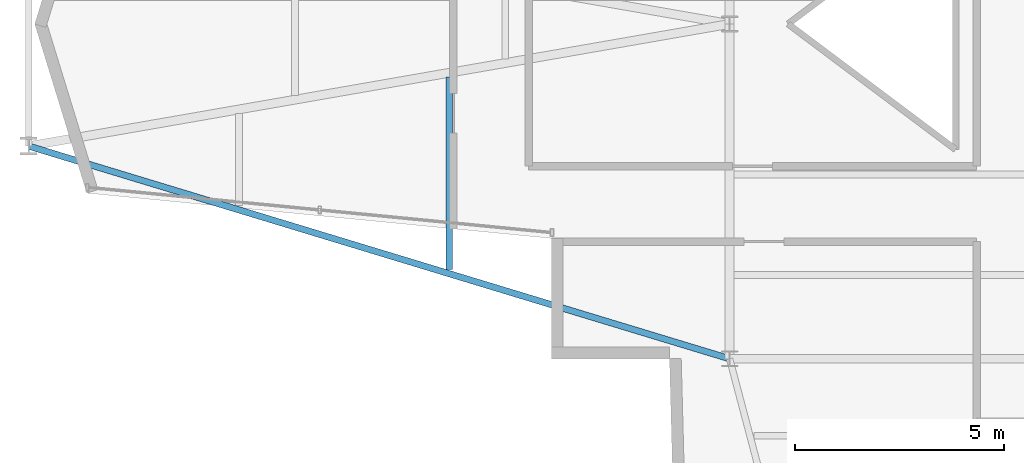
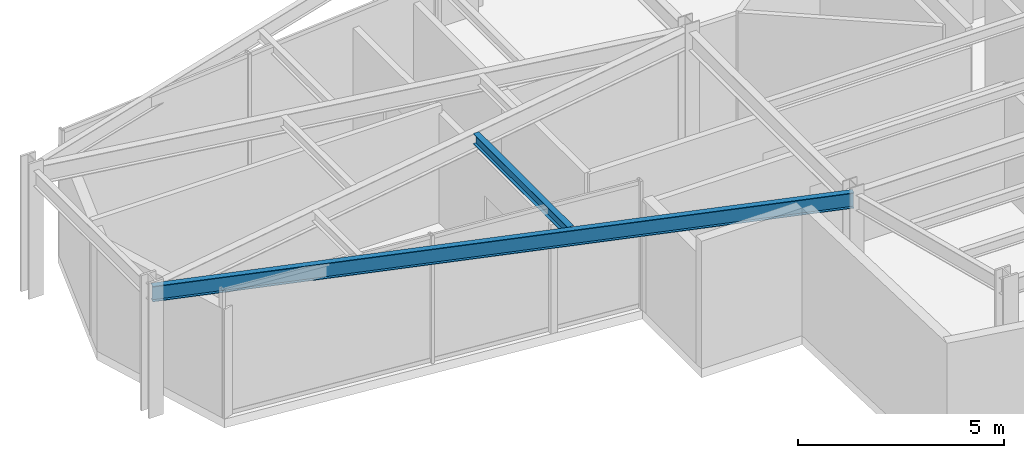
# One storey, part 3 of 21: 2 beams.
"""IFC4 building model written with IfcOpenShell, lengths in metres."""

from ifc_helpers import new_model, si_unit, direction, frame, origin, origin_2d, place, context, subcontext, project, spatial, i_section, extrude, material, material_profile, profile_set, type_object, element, save


model = new_model("IFC4")

# Units and contexts
model_context = context("Model", 3, precision=1e-05, world=origin(), true_north=direction((0.0, 1.0)))
body_context = subcontext(model_context, "Body", "Model", "MODEL_VIEW")
ifc_project = project(units=[si_unit("LENGTHUNIT", "METRE"), si_unit("AREAUNIT", "SQUARE_METRE"), si_unit("VOLUMEUNIT", "CUBIC_METRE"), si_unit("PLANEANGLEUNIT", "RADIAN"), si_unit("MASSUNIT", "GRAM", prefix="KILO")], contexts=[model_context])

# Site, building, storey
site_placement = place(None, origin())
site = spatial("IfcSite", under=ifc_project, at=site_placement, CompositionType="ELEMENT")
building_placement = place(site_placement, origin())
building = spatial("IfcBuilding", under=site, at=building_placement, Name="Veymaron Broadcast Tower", CompositionType="ELEMENT")
storey_placement = place(building_placement, frame((0.0, 0.0, 244.5)))
storey = spatial("IfcBuildingStorey", under=building, at=storey_placement, Name="L57", CompositionType="ELEMENT", Elevation=244.5)

# Beams
ifc_material = material(Name="Structural steel ASTM A992 Gr 50", Category="steel")
ifc_material_profile_1 = material_profile(ifc_material, i_section(OverallWidth=0.1650390625, OverallDepth=0.31005859375, WebThickness=0.005859375, FlangeThickness=0.009765625, at=origin_2d()), Name="W310X39")
ifc_profile_set_1 = profile_set([ifc_material_profile_1], Name="Structural steel ASTM A992 Gr 50")
beam_type_1 = type_object("IfcBeamType", Name="BM-JS3", PredefinedType="JOIST", material=ifc_profile_set_1)
beam_1_placement = place(storey_placement, frame((24.50048828125, 18.1328125, 3.635009765625), z_axis=(0.0, 1.0, 0.0), x_axis=(-1.0, 0.0, 0.0)))
element("IfcBeam", 1, at=beam_1_placement, inside=storey, type_object=beam_type_1, Name="L57 Arm-A secondary joist 2S", PredefinedType="JOIST", context=body_context, shape_type="SweptSolid", body=[
    extrude(i_section(OverallWidth=0.1650390625, OverallDepth=0.31005859375, WebThickness=0.005859375, FlangeThickness=0.009765625, at=origin_2d()), origin(), (0.0, 0.0, 1.0), 4.60009765625),
])
ifc_material_profile_2 = material_profile(ifc_material, i_section(OverallWidth=0.154052734375, OverallDepth=0.458984375, WebThickness=0.009033203125, FlangeThickness=0.015380859375, at=origin_2d()), Name="W460X68")
ifc_profile_set_2 = profile_set([ifc_material_profile_2], Name="Structural steel ASTM A992 Gr 50")
beam_type_2 = type_object("IfcBeamType", Name="BM-SP2", PredefinedType="SPANDREL", material=ifc_profile_set_2)
beam_2_placement = place(storey_placement, frame((14.45166015625, 21.08203125, 3.560546875), z_axis=(0.956916641224, -0.290362776107, 0.0), x_axis=(0.290362776107, 0.956916641224, 0.0)))
element("IfcBeam", 2, at=beam_2_placement, inside=storey, type_object=beam_type_2, Name="L57 primary structural floor girder", PredefinedType="SPANDREL", context=body_context, shape_type="SweptSolid", body=[
    extrude(i_section(OverallWidth=0.154052734375, OverallDepth=0.458984375, WebThickness=0.009033203125, FlangeThickness=0.015380859375, at=origin_2d()), origin(), (0.0, 0.0, 1.0), 17.50244140625),
])

save(model, "model.ifc")
